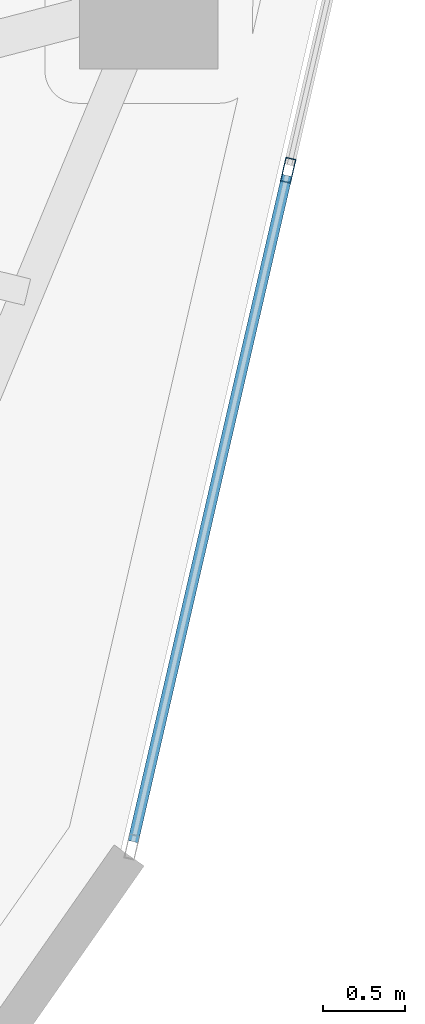
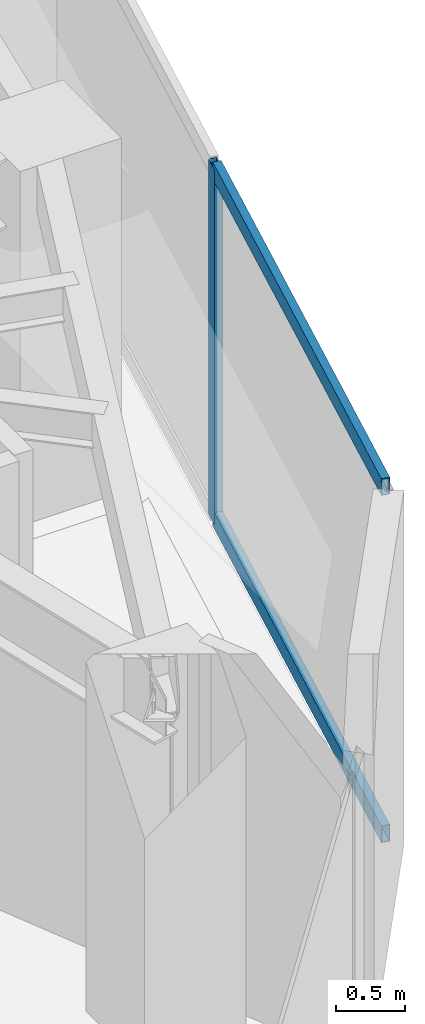
# One storey, part 7 of 20: 3 members, 1 element without a shape of its own.
"""IFC4 building model written with IfcOpenShell, lengths in metres."""

from ifc_helpers import new_model, si_unit, direction, frame, origin, origin_2d, place, context, subcontext, project, spatial, hollow_rectangle, extrude, source, transform, mapped, material, layer, layer_set, material_profile, profile_set, type_object, type_shapes, element, aggregate, save


model = new_model("IFC4")

# Units and contexts
model_context = context("Model", 3, precision=1e-05, world=origin(), true_north=direction((0.0, 1.0)))
body_context = subcontext(model_context, "Body", "Model", "MODEL_VIEW")
ifc_project = project(units=[si_unit("LENGTHUNIT", "METRE"), si_unit("AREAUNIT", "SQUARE_METRE"), si_unit("VOLUMEUNIT", "CUBIC_METRE"), si_unit("PLANEANGLEUNIT", "RADIAN"), si_unit("MASSUNIT", "GRAM", prefix="KILO")], contexts=[model_context])

# Site, building, storey
site_placement = place(None, origin())
site = spatial("IfcSite", under=ifc_project, at=site_placement, CompositionType="ELEMENT")
building_placement = place(site_placement, origin())
building = spatial("IfcBuilding", under=site, at=building_placement, Name="Talar Marvaseh", CompositionType="ELEMENT")
storey_placement = place(building_placement, frame((0.0, 0.0, 247.60009765625)))
storey = spatial("IfcBuildingStorey", under=building, at=storey_placement, Name="L65", CompositionType="ELEMENT", Elevation=247.60009765625)

# Curtain wall, members
ifc_material = material(Name="Architectural Aluminium", Category="aluminium")
ifc_layer = layer(ifc_material, 0.179931640625)
ifc_layer_set = layer_set([ifc_layer], Name="Architectural Aluminium")
curtain_wall_type = type_object("IfcCurtainWallType", Name="Unitised High-Wind Sky Curtain Wall Z4", PredefinedType="NOTDEFINED", material=ifc_layer_set)
curtain_wall_placement = place(storey_placement, origin())
curtain_wall = element("IfcCurtainWall", 1, at=curtain_wall_placement, inside=storey, type_object=curtain_wall_type, Name="L65 Unitised High-Wind Sky Curtain Wall Z4", PredefinedType="NOTDEFINED")
ifc_material_profile_1 = material_profile(ifc_material, hollow_rectangle(XDim=0.06494140625, YDim=0.14990234375, WallThickness=0.00390625, at=origin_2d()), Name="RHS150x65x4")
ifc_profile_set_1 = profile_set([ifc_material_profile_1], Name="Architectural Aluminium")
member_type_1 = type_object("IfcMemberType", Name="Unitised Curtain Wall Slim Mullion RHS150x65x4", PredefinedType="MULLION", material=ifc_profile_set_1)
shared_shape_1 = source(origin(), body_context, "Body", "SweptSolid", [
    extrude(hollow_rectangle(XDim=0.06494140625, YDim=0.14990234375, WallThickness=0.00390625, at=origin_2d()), origin(), (0.0, 0.0, 1.0), 3.139892578125),
])
type_shapes(member_type_1, [shared_shape_1])
member_1_placement = place(storey_placement, frame((38.0517578125, 25.468017578125, 0.0), z_axis=(0.0, 0.0, 1.0), x_axis=(0.974334936397, -0.225103157943, 0.0)))
member_1 = element("IfcMember", 2, at=member_1_placement, type_object=member_type_1, Name="CW-Z4 mullion 4", PredefinedType="MULLION", context=body_context, shape_type="MappedRepresentation", body=[
    mapped(shared_shape_1, transform((0.0, 0.0, 0.0), x_axis=(1.0, 0.0, 0.0), y_axis=(0.0, 1.0, 0.0), z_axis=(0.0, 0.0, 1.0), scale=1.0)),
])
ifc_material_profile_2 = material_profile(ifc_material, hollow_rectangle(XDim=0.06494140625, YDim=0.14990234375, WallThickness=0.00390625, at=origin_2d()), Name="RHS150x65x4")
ifc_profile_set_2 = profile_set([ifc_material_profile_2], Name="Architectural Aluminium")
member_type_2 = type_object("IfcMemberType", Name="Unitised Curtain Wall Slim Transom RHS150x65x4", PredefinedType="USERDEFINED", material=ifc_profile_set_2)
shared_shape_2 = source(origin(), body_context, "Body", "SweptSolid", [
    extrude(hollow_rectangle(XDim=0.06494140625, YDim=0.14990234375, WallThickness=0.00390625, at=origin_2d()), origin(), (0.0, 0.0, 1.0), 4.188720703125),
])
type_shapes(member_type_2, [shared_shape_2])
member_2_placement = place(storey_placement, frame((38.04443359375, 25.436279296875, 0.032470703125), z_axis=(-0.225161735629, -0.974321401186, 0.0), x_axis=(0.974321401186, -0.225161735629, 0.0)))
member_2 = element("IfcMember", 3, at=member_2_placement, type_object=member_type_2, Name="CW-Z4 transom 4.1", ObjectType="TRANSOM", PredefinedType="USERDEFINED", context=body_context, shape_type="MappedRepresentation", body=[
    mapped(shared_shape_2, transform((0.0, 0.0, 0.0), x_axis=(1.0, 0.0, 0.0), y_axis=(0.0, 1.0, 0.0), z_axis=(0.0, 0.0, 1.0), scale=1.0)),
])
member_3_placement = place(storey_placement, frame((38.04443359375, 25.436279296875, 3.107421875), z_axis=(-0.225161735629, -0.974321401186, 0.0), x_axis=(0.974321401186, -0.225161735629, 0.0)))
member_3 = element("IfcMember", 4, at=member_3_placement, type_object=member_type_2, Name="CW-Z4 transom 4.2", ObjectType="TRANSOM", PredefinedType="USERDEFINED", context=body_context, shape_type="MappedRepresentation", body=[
    mapped(shared_shape_2, transform((0.0, 0.0, 0.0), x_axis=(1.0, 0.0, 0.0), y_axis=(0.0, 1.0, 0.0), z_axis=(0.0, 0.0, 1.0), scale=1.0)),
])
aggregate(curtain_wall, [member_1, member_2, member_3])

save(model, "model.ifc")
